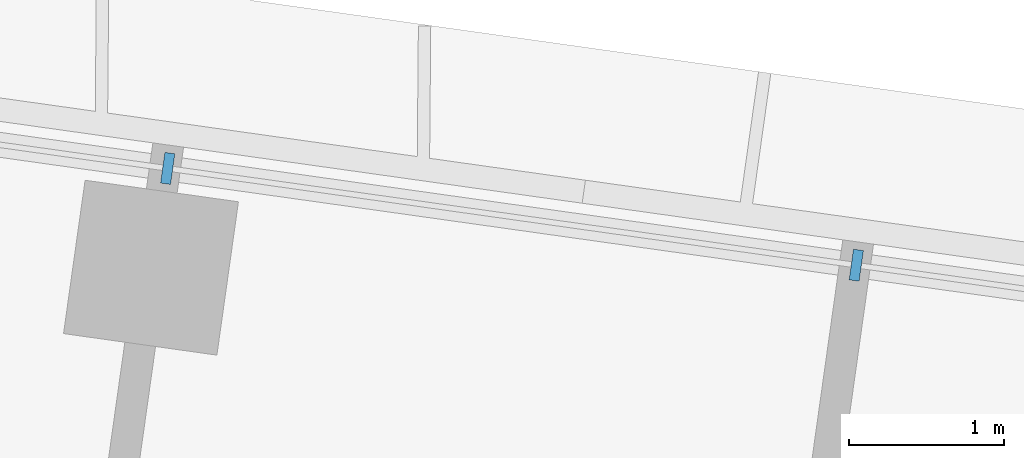
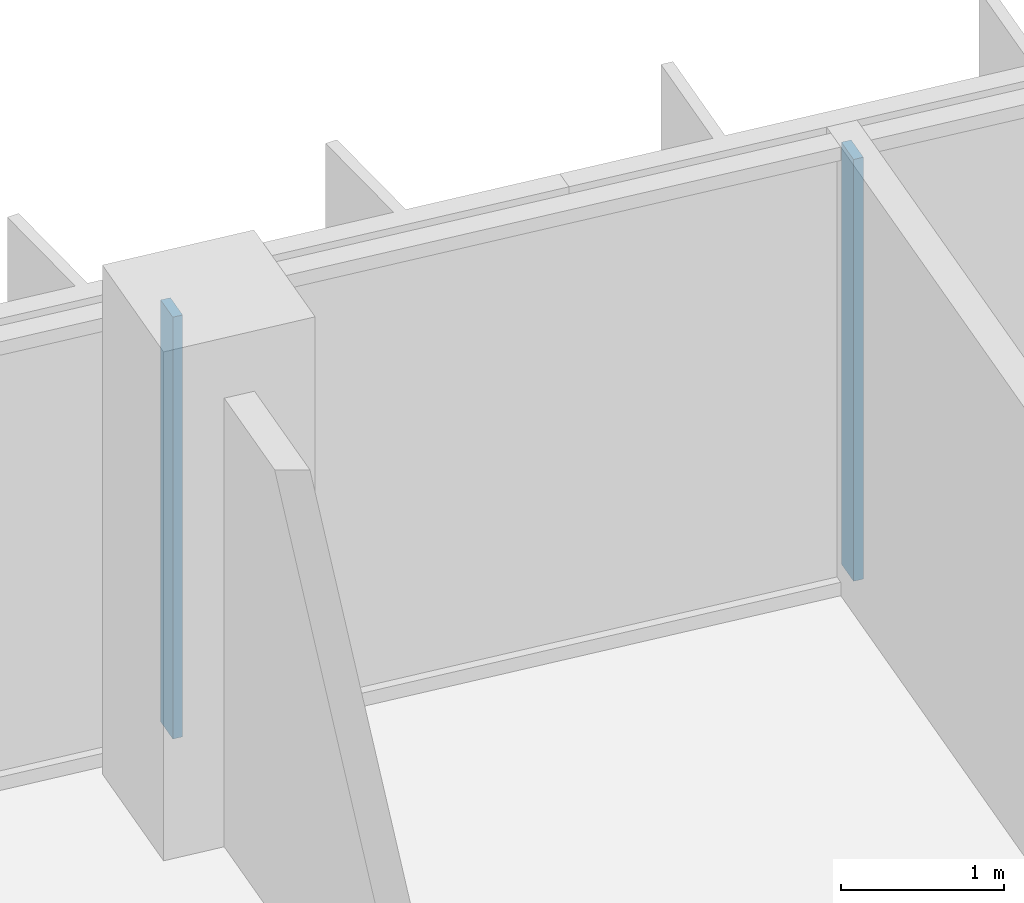
# One storey, part 3 of 25: 2 members, 1 element without a shape of its own.
"""IFC4 building model written with IfcOpenShell, lengths in metres."""

from ifc_helpers import new_model, si_unit, direction, frame, origin, origin_2d, place, context, subcontext, project, spatial, rectangle, extrude, material, material_profile, profile_set, type_object, element, aggregate, save


model = new_model("IFC4")

# Units and contexts
model_context = context("Model", 3, precision=1e-05, world=origin(), true_north=direction((0.0, 1.0)))
body_context = subcontext(model_context, "Body", "Model", "MODEL_VIEW")
ifc_project = project(units=[si_unit("LENGTHUNIT", "METRE"), si_unit("AREAUNIT", "SQUARE_METRE"), si_unit("VOLUMEUNIT", "CUBIC_METRE"), si_unit("PLANEANGLEUNIT", "RADIAN"), si_unit("MASSUNIT", "GRAM", prefix="KILO")], contexts=[model_context])

# Site, building, storey
site_placement = place(None, origin())
site = spatial("IfcSite", under=ifc_project, at=site_placement, CompositionType="ELEMENT")
building_placement = place(site_placement, origin())
building = spatial("IfcBuilding", under=site, at=building_placement, Name="Mirante Cascada Hotel Towers", CompositionType="ELEMENT")
storey_placement = place(building_placement, frame((0.0, 0.0, 54.7)))
storey = spatial("IfcBuildingStorey", under=building, at=storey_placement, Name="L10", CompositionType="ELEMENT", Elevation=54.7)

# Curtain wall, members
ifc_material_1 = material(Name="Aluminium mullion and transom frame with clear laminated glass", Category="aluminium")
curtain_wall_type = type_object("IfcCurtainWallType", Name="Ribbon curtain wall ECW1", PredefinedType="NOTDEFINED", material=ifc_material_1)
curtain_wall_placement = place(storey_placement, origin())
curtain_wall = element("IfcCurtainWall", 1, at=curtain_wall_placement, inside=storey, type_object=curtain_wall_type, Name="Front ribbon wall T1 L10", PredefinedType="NOTDEFINED")
ifc_material_2 = material(Name="Anodised aluminium extrusion", Category="aluminium")
ifc_material_profile = material_profile(ifc_material_2, rectangle(XDim=0.2, YDim=0.065, at=origin_2d()), Name="ECW1 MULLION 65x200")
ifc_profile_set = profile_set([ifc_material_profile], Name="Anodised aluminium extrusion")
member_type = type_object("IfcMemberType", Name="ECW1 mullion 65x200", PredefinedType="MULLION", material=ifc_profile_set)
member_1_placement = place(storey_placement, frame((-71.9211, 22.9269, 0.1), z_axis=(0.0, 0.0, 1.0), x_axis=(0.1391731, 0.9902681, 0.0)))
member_1 = element("IfcMember", 2, at=member_1_placement, type_object=member_type, Name="ECW1 mullion 6", PredefinedType="MULLION", context=body_context, shape_type="SweptSolid", body=[
    extrude(rectangle(XDim=0.2, YDim=0.065, at=origin_2d()), origin(), (0.0, 0.0, 1.0), 3.15),
])
member_2_placement = place(storey_placement, frame((-67.4737, 22.3018, 0.1), z_axis=(0.0, 0.0, 1.0), x_axis=(0.1391731, 0.9902681, 0.0)))
member_2 = element("IfcMember", 3, at=member_2_placement, type_object=member_type, Name="ECW1 mullion 7", PredefinedType="MULLION", context=body_context, shape_type="SweptSolid", body=[
    extrude(rectangle(XDim=0.2, YDim=0.065, at=origin_2d()), origin(), (0.0, 0.0, 1.0), 3.15),
])
aggregate(curtain_wall, [member_1, member_2])

save(model, "model.ifc")
